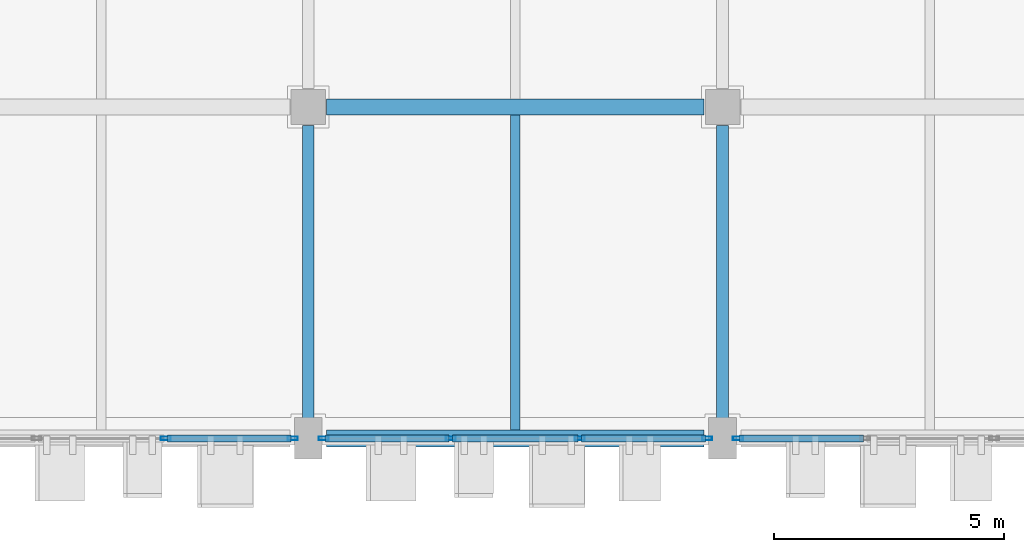
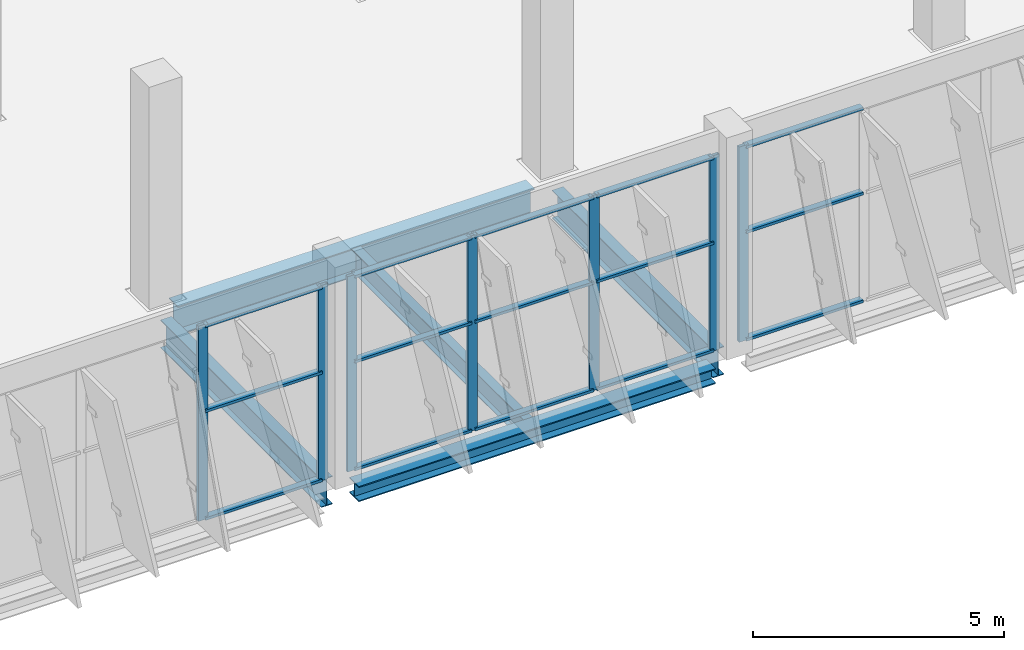
# One storey, part 35 of 137: 22 members, 5 beams, 3 elements without a shape of their own.
"""IFC4 building model written with IfcOpenShell, lengths in metres."""

from ifc_helpers import new_model, si_unit, direction, frame, origin, origin_2d, place, context, subcontext, project, spatial, hollow_rectangle, i_section, extrude, material, layer, layer_set, material_profile, profile_set, type_object, element, aggregate, save


model = new_model("IFC4")

# Units and contexts
model_context = context("Model", 3, precision=1e-05, world=origin(), true_north=direction((0.0, 1.0)))
body_context = subcontext(model_context, "Body", "Model", "MODEL_VIEW")
ifc_project = project(units=[si_unit("LENGTHUNIT", "METRE"), si_unit("AREAUNIT", "SQUARE_METRE"), si_unit("VOLUMEUNIT", "CUBIC_METRE"), si_unit("PLANEANGLEUNIT", "RADIAN"), si_unit("MASSUNIT", "GRAM", prefix="KILO")], contexts=[model_context])

# Site, building, storey
site_placement = place(None, origin())
site = spatial("IfcSite", under=ifc_project, at=site_placement, CompositionType="ELEMENT")
building_placement = place(site_placement, origin())
building = spatial("IfcBuilding", under=site, at=building_placement, Name="Celestram Park Convention Centre", CompositionType="ELEMENT")
storey_placement = place(building_placement, origin())
storey = spatial("IfcBuildingStorey", under=building, at=storey_placement, Name="L00", CompositionType="ELEMENT", Elevation=0.0)

# Curtain wall, member
ifc_material_1 = material(Name="Anodised Aluminium Alloy 6063-T6", Category="aluminium")
ifc_layer = layer(ifc_material_1, 0.179931640625)
ifc_layer_set = layer_set([ifc_layer], Name="Anodised Aluminium Alloy 6063-T6")
curtain_wall_type = type_object("IfcCurtainWallType", Name="ARC-CW-840X475", PredefinedType="NOTDEFINED", material=ifc_layer_set)
curtain_wall_1_placement = place(storey_placement, origin())
curtain_wall_1 = element("IfcCurtainWall", 1, at=curtain_wall_1_placement, inside=storey, type_object=curtain_wall_type, Name="Unitised curtain wall CU-L00-028", PredefinedType="NOTDEFINED")
ifc_material_profile_1 = material_profile(ifc_material_1, hollow_rectangle(XDim=0.074951171875, YDim=0.219970703125, WallThickness=0.00390625, at=origin_2d()), Name="ALU75X220X4")
ifc_profile_set_1 = profile_set([ifc_material_profile_1], Name="Anodised Aluminium Alloy 6063-T6")
member_type_1 = type_object("IfcMemberType", Name="ARC-CWM-180", PredefinedType="MULLION", material=ifc_profile_set_1)
member_1_placement = place(storey_placement, frame((189.33544921875, 0.0, 0.0), z_axis=(0.0, 0.0, 1.0), x_axis=(0.0, -1.0, 0.0)))
member_1 = element("IfcMember", 2, at=member_1_placement, type_object=member_type_1, Name="CW-84X47 mullion 4", PredefinedType="MULLION", context=body_context, shape_type="SweptSolid", body=[
    extrude(hollow_rectangle(XDim=0.074951171875, YDim=0.219970703125, WallThickness=0.00390625, at=origin_2d()), origin(), (0.0, 0.0, 1.0), 4.7470703125),
])

# Curtain wall, members
curtain_wall_2_placement = place(storey_placement, origin())
curtain_wall_2 = element("IfcCurtainWall", 3, at=curtain_wall_2_placement, inside=storey, type_object=curtain_wall_type, Name="Unitised curtain wall CU-L00-029", PredefinedType="NOTDEFINED")
member_2_placement = place(storey_placement, frame((188.66455078125, 0.0, 0.0), z_axis=(0.0, 0.0, 1.0), x_axis=(0.0, -1.0, 0.0)))
member_2 = element("IfcMember", 4, at=member_2_placement, type_object=member_type_1, Name="CW-84X47 mullion 1", PredefinedType="MULLION", context=body_context, shape_type="SweptSolid", body=[
    extrude(hollow_rectangle(XDim=0.074951171875, YDim=0.219970703125, WallThickness=0.00390625, at=origin_2d()), origin(), (0.0, 0.0, 1.0), 4.7470703125),
])
member_3_placement = place(storey_placement, frame((185.900634765625, 0.0, 0.0), z_axis=(0.0, 0.0, 1.0), x_axis=(0.0, -1.0, 0.0)))
member_3 = element("IfcMember", 5, at=member_3_placement, type_object=member_type_1, Name="CW-84X47 mullion 2", PredefinedType="MULLION", context=body_context, shape_type="SweptSolid", body=[
    extrude(hollow_rectangle(XDim=0.074951171875, YDim=0.219970703125, WallThickness=0.00390625, at=origin_2d()), origin(), (0.0, 0.0, 1.0), 4.7470703125),
])
member_4_placement = place(storey_placement, frame((183.099365234375, 0.0, 0.0), z_axis=(0.0, 0.0, 1.0), x_axis=(0.0, -1.0, 0.0)))
member_4 = element("IfcMember", 6, at=member_4_placement, type_object=member_type_1, Name="CW-84X47 mullion 3", PredefinedType="MULLION", context=body_context, shape_type="SweptSolid", body=[
    extrude(hollow_rectangle(XDim=0.074951171875, YDim=0.219970703125, WallThickness=0.00390625, at=origin_2d()), origin(), (0.0, 0.0, 1.0), 4.7470703125),
])
member_5_placement = place(storey_placement, frame((180.33544921875, 0.0, 0.0), z_axis=(0.0, 0.0, 1.0), x_axis=(0.0, -1.0, 0.0)))
member_5 = element("IfcMember", 7, at=member_5_placement, type_object=member_type_1, Name="CW-84X47 mullion 4", PredefinedType="MULLION", context=body_context, shape_type="SweptSolid", body=[
    extrude(hollow_rectangle(XDim=0.074951171875, YDim=0.219970703125, WallThickness=0.00390625, at=origin_2d()), origin(), (0.0, 0.0, 1.0), 4.7470703125),
])

curtain_wall_3_placement = place(storey_placement, origin())
curtain_wall_3 = element("IfcCurtainWall", 8, at=curtain_wall_3_placement, inside=storey, type_object=curtain_wall_type, Name="Unitised curtain wall CU-L00-030", PredefinedType="NOTDEFINED")
member_6_placement = place(storey_placement, frame((179.66455078125, 0.0, 0.0), z_axis=(0.0, 0.0, 1.0), x_axis=(0.0, -1.0, 0.0)))
member_6 = element("IfcMember", 9, at=member_6_placement, type_object=member_type_1, Name="CW-84X47 mullion 1", PredefinedType="MULLION", context=body_context, shape_type="SweptSolid", body=[
    extrude(hollow_rectangle(XDim=0.074951171875, YDim=0.219970703125, WallThickness=0.00390625, at=origin_2d()), origin(), (0.0, 0.0, 1.0), 4.7470703125),
])
member_7_placement = place(storey_placement, frame((176.900634765625, 0.0, 0.0), z_axis=(0.0, 0.0, 1.0), x_axis=(0.0, -1.0, 0.0)))
member_7 = element("IfcMember", 10, at=member_7_placement, type_object=member_type_1, Name="CW-84X47 mullion 2", PredefinedType="MULLION", context=body_context, shape_type="SweptSolid", body=[
    extrude(hollow_rectangle(XDim=0.074951171875, YDim=0.219970703125, WallThickness=0.00390625, at=origin_2d()), origin(), (0.0, 0.0, 1.0), 4.7470703125),
])

# Member
ifc_material_profile_2 = material_profile(ifc_material_1, hollow_rectangle(XDim=0.14990234375, YDim=0.06494140625, WallThickness=0.0029296875, at=origin_2d()), Name="ALU150X65X3")
ifc_profile_set_2 = profile_set([ifc_material_profile_2], Name="Anodised Aluminium Alloy 6063-T6")
member_type_2 = type_object("IfcMemberType", Name="ARC-CWT-150", PredefinedType="USERDEFINED", material=ifc_profile_set_2)
member_8_placement = place(storey_placement, frame((192.061767578125, 0.0, 0.032470703125), z_axis=(-1.0, 0.0, 0.0), x_axis=(0.0, -1.0, 0.0)))
member_8 = element("IfcMember", 11, at=member_8_placement, type_object=member_type_2, Name="CW-84X47 transom 3.1", ObjectType="TRANSOM", PredefinedType="USERDEFINED", context=body_context, shape_type="SweptSolid", body=[
    extrude(hollow_rectangle(XDim=0.14990234375, YDim=0.06494140625, WallThickness=0.0029296875, at=origin_2d()), origin(), (0.0, 0.0, 1.0), 2.688720703125),
])

member_9_placement = place(storey_placement, frame((192.061767578125, 0.0, 2.64990234375), z_axis=(-1.0, 0.0, 0.0), x_axis=(0.0, -1.0, 0.0)))
member_9 = element("IfcMember", 12, at=member_9_placement, type_object=member_type_2, Name="CW-84X47 transom 3.2", ObjectType="TRANSOM", PredefinedType="USERDEFINED", context=body_context, shape_type="SweptSolid", body=[
    extrude(hollow_rectangle(XDim=0.14990234375, YDim=0.06494140625, WallThickness=0.0029296875, at=origin_2d()), origin(), (0.0, 0.0, 1.0), 2.688720703125),
])

member_10_placement = place(storey_placement, frame((192.061767578125, 0.0, 4.714599609375), z_axis=(-1.0, 0.0, 0.0), x_axis=(0.0, -1.0, 0.0)))
member_10 = element("IfcMember", 13, at=member_10_placement, type_object=member_type_2, Name="CW-84X47 transom 3.3", ObjectType="TRANSOM", PredefinedType="USERDEFINED", context=body_context, shape_type="SweptSolid", body=[
    extrude(hollow_rectangle(XDim=0.14990234375, YDim=0.06494140625, WallThickness=0.0029296875, at=origin_2d()), origin(), (0.0, 0.0, 1.0), 2.688720703125),
])

aggregate(curtain_wall_1, [member_1, member_8, member_9, member_10])

member_11_placement = place(storey_placement, frame((188.626953125, 0.0, 0.032470703125), z_axis=(-1.0, 0.0, 0.0), x_axis=(0.0, -1.0, 0.0)))
member_11 = element("IfcMember", 14, at=member_11_placement, type_object=member_type_2, Name="CW-84X47 transom 1.1", ObjectType="TRANSOM", PredefinedType="USERDEFINED", context=body_context, shape_type="SweptSolid", body=[
    extrude(hollow_rectangle(XDim=0.14990234375, YDim=0.06494140625, WallThickness=0.0029296875, at=origin_2d()), origin(), (0.0, 0.0, 1.0), 2.688720703125),
])

member_12_placement = place(storey_placement, frame((188.626953125, 0.0, 2.64990234375), z_axis=(-1.0, 0.0, 0.0), x_axis=(0.0, -1.0, 0.0)))
member_12 = element("IfcMember", 15, at=member_12_placement, type_object=member_type_2, Name="CW-84X47 transom 1.2", ObjectType="TRANSOM", PredefinedType="USERDEFINED", context=body_context, shape_type="SweptSolid", body=[
    extrude(hollow_rectangle(XDim=0.14990234375, YDim=0.06494140625, WallThickness=0.0029296875, at=origin_2d()), origin(), (0.0, 0.0, 1.0), 2.688720703125),
])

member_13_placement = place(storey_placement, frame((188.626953125, 0.0, 4.714599609375), z_axis=(-1.0, 0.0, 0.0), x_axis=(0.0, -1.0, 0.0)))
member_13 = element("IfcMember", 16, at=member_13_placement, type_object=member_type_2, Name="CW-84X47 transom 1.3", ObjectType="TRANSOM", PredefinedType="USERDEFINED", context=body_context, shape_type="SweptSolid", body=[
    extrude(hollow_rectangle(XDim=0.14990234375, YDim=0.06494140625, WallThickness=0.0029296875, at=origin_2d()), origin(), (0.0, 0.0, 1.0), 2.688720703125),
])

member_14_placement = place(storey_placement, frame((185.86328125, 0.0, 0.032470703125), z_axis=(-1.0, 0.0, 0.0), x_axis=(0.0, -1.0, 0.0)))
member_14 = element("IfcMember", 17, at=member_14_placement, type_object=member_type_2, Name="CW-84X47 transom 2.1", ObjectType="TRANSOM", PredefinedType="USERDEFINED", context=body_context, shape_type="SweptSolid", body=[
    extrude(hollow_rectangle(XDim=0.14990234375, YDim=0.06494140625, WallThickness=0.0029296875, at=origin_2d()), origin(), (0.0, 0.0, 1.0), 2.7265625),
])

member_15_placement = place(storey_placement, frame((185.86328125, 0.0, 2.64990234375), z_axis=(-1.0, 0.0, 0.0), x_axis=(0.0, -1.0, 0.0)))
member_15 = element("IfcMember", 18, at=member_15_placement, type_object=member_type_2, Name="CW-84X47 transom 2.2", ObjectType="TRANSOM", PredefinedType="USERDEFINED", context=body_context, shape_type="SweptSolid", body=[
    extrude(hollow_rectangle(XDim=0.14990234375, YDim=0.06494140625, WallThickness=0.0029296875, at=origin_2d()), origin(), (0.0, 0.0, 1.0), 2.7265625),
])

member_16_placement = place(storey_placement, frame((185.86328125, 0.0, 4.714599609375), z_axis=(-1.0, 0.0, 0.0), x_axis=(0.0, -1.0, 0.0)))
member_16 = element("IfcMember", 19, at=member_16_placement, type_object=member_type_2, Name="CW-84X47 transom 2.3", ObjectType="TRANSOM", PredefinedType="USERDEFINED", context=body_context, shape_type="SweptSolid", body=[
    extrude(hollow_rectangle(XDim=0.14990234375, YDim=0.06494140625, WallThickness=0.0029296875, at=origin_2d()), origin(), (0.0, 0.0, 1.0), 2.7265625),
])

member_17_placement = place(storey_placement, frame((183.061767578125, 0.0, 0.032470703125), z_axis=(-1.0, 0.0, 0.0), x_axis=(0.0, -1.0, 0.0)))
member_17 = element("IfcMember", 20, at=member_17_placement, type_object=member_type_2, Name="CW-84X47 transom 3.1", ObjectType="TRANSOM", PredefinedType="USERDEFINED", context=body_context, shape_type="SweptSolid", body=[
    extrude(hollow_rectangle(XDim=0.14990234375, YDim=0.06494140625, WallThickness=0.0029296875, at=origin_2d()), origin(), (0.0, 0.0, 1.0), 2.688720703125),
])

member_18_placement = place(storey_placement, frame((183.061767578125, 0.0, 2.64990234375), z_axis=(-1.0, 0.0, 0.0), x_axis=(0.0, -1.0, 0.0)))
member_18 = element("IfcMember", 21, at=member_18_placement, type_object=member_type_2, Name="CW-84X47 transom 3.2", ObjectType="TRANSOM", PredefinedType="USERDEFINED", context=body_context, shape_type="SweptSolid", body=[
    extrude(hollow_rectangle(XDim=0.14990234375, YDim=0.06494140625, WallThickness=0.0029296875, at=origin_2d()), origin(), (0.0, 0.0, 1.0), 2.688720703125),
])

member_19_placement = place(storey_placement, frame((183.061767578125, 0.0, 4.714599609375), z_axis=(-1.0, 0.0, 0.0), x_axis=(0.0, -1.0, 0.0)))
member_19 = element("IfcMember", 22, at=member_19_placement, type_object=member_type_2, Name="CW-84X47 transom 3.3", ObjectType="TRANSOM", PredefinedType="USERDEFINED", context=body_context, shape_type="SweptSolid", body=[
    extrude(hollow_rectangle(XDim=0.14990234375, YDim=0.06494140625, WallThickness=0.0029296875, at=origin_2d()), origin(), (0.0, 0.0, 1.0), 2.688720703125),
])

aggregate(curtain_wall_2, [member_2, member_3, member_4, member_5, member_11, member_12, member_13, member_14, member_15, member_16, member_17, member_18, member_19])

member_20_placement = place(storey_placement, frame((179.626953125, 0.0, 0.032470703125), z_axis=(-1.0, 0.0, 0.0), x_axis=(0.0, -1.0, 0.0)))
member_20 = element("IfcMember", 23, at=member_20_placement, type_object=member_type_2, Name="CW-84X47 transom 1.1", ObjectType="TRANSOM", PredefinedType="USERDEFINED", context=body_context, shape_type="SweptSolid", body=[
    extrude(hollow_rectangle(XDim=0.14990234375, YDim=0.06494140625, WallThickness=0.0029296875, at=origin_2d()), origin(), (0.0, 0.0, 1.0), 2.688720703125),
])

member_21_placement = place(storey_placement, frame((179.626953125, 0.0, 2.64990234375), z_axis=(-1.0, 0.0, 0.0), x_axis=(0.0, -1.0, 0.0)))
member_21 = element("IfcMember", 24, at=member_21_placement, type_object=member_type_2, Name="CW-84X47 transom 1.2", ObjectType="TRANSOM", PredefinedType="USERDEFINED", context=body_context, shape_type="SweptSolid", body=[
    extrude(hollow_rectangle(XDim=0.14990234375, YDim=0.06494140625, WallThickness=0.0029296875, at=origin_2d()), origin(), (0.0, 0.0, 1.0), 2.688720703125),
])

member_22_placement = place(storey_placement, frame((179.626953125, 0.0, 4.714599609375), z_axis=(-1.0, 0.0, 0.0), x_axis=(0.0, -1.0, 0.0)))
member_22 = element("IfcMember", 25, at=member_22_placement, type_object=member_type_2, Name="CW-84X47 transom 1.3", ObjectType="TRANSOM", PredefinedType="USERDEFINED", context=body_context, shape_type="SweptSolid", body=[
    extrude(hollow_rectangle(XDim=0.14990234375, YDim=0.06494140625, WallThickness=0.0029296875, at=origin_2d()), origin(), (0.0, 0.0, 1.0), 2.688720703125),
])

aggregate(curtain_wall_3, [member_6, member_7, member_20, member_21, member_22])

# Beams
ifc_material_2 = material(Name="Steel ASTM A992 Grade 50", Category="steel")
ifc_material_profile_3 = material_profile(ifc_material_2, i_section(OverallWidth=0.35595703125, OverallDepth=0.696044921875, WebThickness=0.015380859375, FlangeThickness=0.02490234375, at=origin_2d()), Name="W27X146")
ifc_profile_set_3 = profile_set([ifc_material_profile_3], Name="Steel ASTM A992 Grade 50")
beam_type_1 = type_object("IfcBeamType", Name="STR-BM-W27X146", PredefinedType="BEAM", material=ifc_profile_set_3)
beam_1_placement = place(storey_placement, frame((180.39794921875, 7.199951171875, -0.66796875), z_axis=(1.0, 0.0, 0.0), x_axis=(0.0, 1.0, 0.0)))
element("IfcBeam", 26, at=beam_1_placement, inside=storey, type_object=beam_type_1, Name="Primary X-girder BG-L00-0771", PredefinedType="BEAM", context=body_context, shape_type="SweptSolid", body=[
    extrude(i_section(OverallWidth=0.35595703125, OverallDepth=0.696044921875, WebThickness=0.015380859375, FlangeThickness=0.02490234375, at=origin_2d()), origin(), (0.0, 0.0, 1.0), 8.2041015625),
])
ifc_material_profile_4 = material_profile(ifc_material_2, i_section(OverallWidth=0.25390625, OverallDepth=0.68310546875, WebThickness=0.012451171875, FlangeThickness=0.01904296875, at=origin_2d()), Name="W27X94")
ifc_profile_set_4 = profile_set([ifc_material_profile_4], Name="Steel ASTM A992 Grade 50")
beam_type_2 = type_object("IfcBeamType", Name="STR-BM-W27X94", PredefinedType="BEAM", material=ifc_profile_set_4)
for number, where, z_axis, x_axis, name in (
    (27, (180.0, 0.39794921875, -0.66162109375), (0.0, 1.0, 0.0), (-1.0, 0.0, 0.0), "Primary Y-girder BG-L00-0770"),
    (28, (189.0, 0.39794921875, -0.66162109375), (0.0, 1.0, 0.0), (-1.0, 0.0, 0.0), "Primary Y-girder BG-L00-0796"),
):
    element("IfcBeam", number, at=place(storey_placement, frame(where, z_axis=z_axis, x_axis=x_axis)), inside=storey, type_object=beam_type_2, Name=name, PredefinedType="BEAM", context=body_context, shape_type="SweptSolid", body=[
        extrude(i_section(OverallWidth=0.25390625, OverallDepth=0.68310546875, WebThickness=0.012451171875, FlangeThickness=0.01904296875, at=origin_2d()), origin(), (0.0, 0.0, 1.0), 6.404052734375),
    ])
ifc_material_profile_5 = material_profile(ifc_material_2, i_section(OverallWidth=0.2099609375, OverallDepth=0.532958984375, WebThickness=0.01025390625, FlangeThickness=0.015625, at=origin_2d()), Name="W21X62")
ifc_profile_set_5 = profile_set([ifc_material_profile_5], Name="Steel ASTM A992 Grade 50")
beam_type_3 = type_object("IfcBeamType", Name="STR-JST-W21X62", PredefinedType="JOIST", material=ifc_profile_set_5)
beam_2_placement = place(storey_placement, frame((184.5, 0.181884765625, -0.58642578125), z_axis=(0.0, 1.0, 0.0), x_axis=(-1.0, 0.0, 0.0)))
element("IfcBeam", 29, at=beam_2_placement, inside=storey, type_object=beam_type_3, Name="Secondary composite joist BG-L00-1208", PredefinedType="JOIST", context=body_context, shape_type="SweptSolid", body=[
    extrude(i_section(OverallWidth=0.2099609375, OverallDepth=0.532958984375, WebThickness=0.01025390625, FlangeThickness=0.015625, at=origin_2d()), origin(), (0.0, 0.0, 1.0), 6.843994140625),
])
ifc_material_profile_6 = material_profile(ifc_material_2, i_section(OverallWidth=0.373046875, OverallDepth=0.373046875, WebThickness=0.016357421875, FlangeThickness=0.026123046875, at=origin_2d()), Name="W14X132")
ifc_profile_set_6 = profile_set([ifc_material_profile_6], Name="Steel ASTM A992 Grade 50")
beam_type_4 = type_object("IfcBeamType", Name="STR-SPN-W14X132", PredefinedType="SPANDREL", material=ifc_profile_set_6)
beam_3_placement = place(storey_placement, frame((180.39794921875, 0.0, -0.506591796875), z_axis=(1.0, 0.0, 0.0), x_axis=(0.0, 1.0, 0.0)))
element("IfcBeam", 30, at=beam_3_placement, inside=storey, type_object=beam_type_4, Name="Primary X-girder BG-L00-0769", PredefinedType="SPANDREL", context=body_context, shape_type="SweptSolid", body=[
    extrude(i_section(OverallWidth=0.373046875, OverallDepth=0.373046875, WebThickness=0.016357421875, FlangeThickness=0.026123046875, at=origin_2d()), origin(), (0.0, 0.0, 1.0), 8.2041015625),
])

save(model, "model.ifc")
